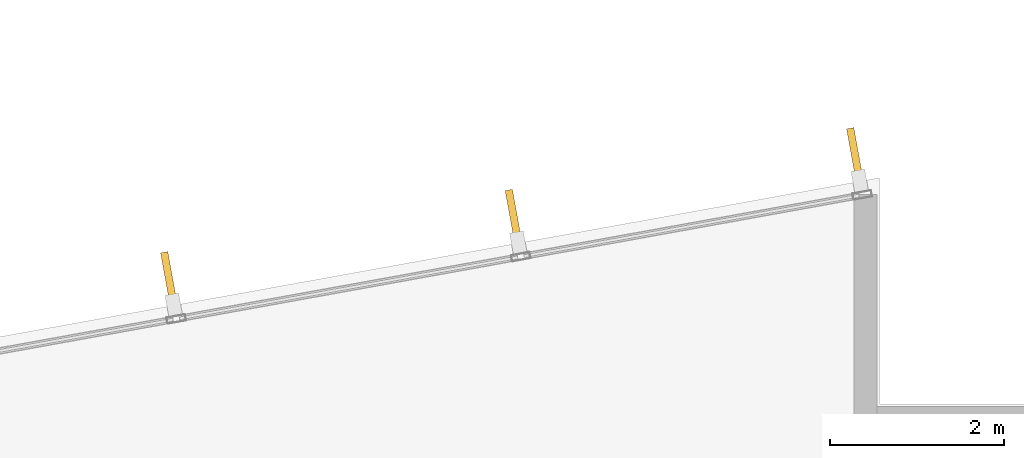
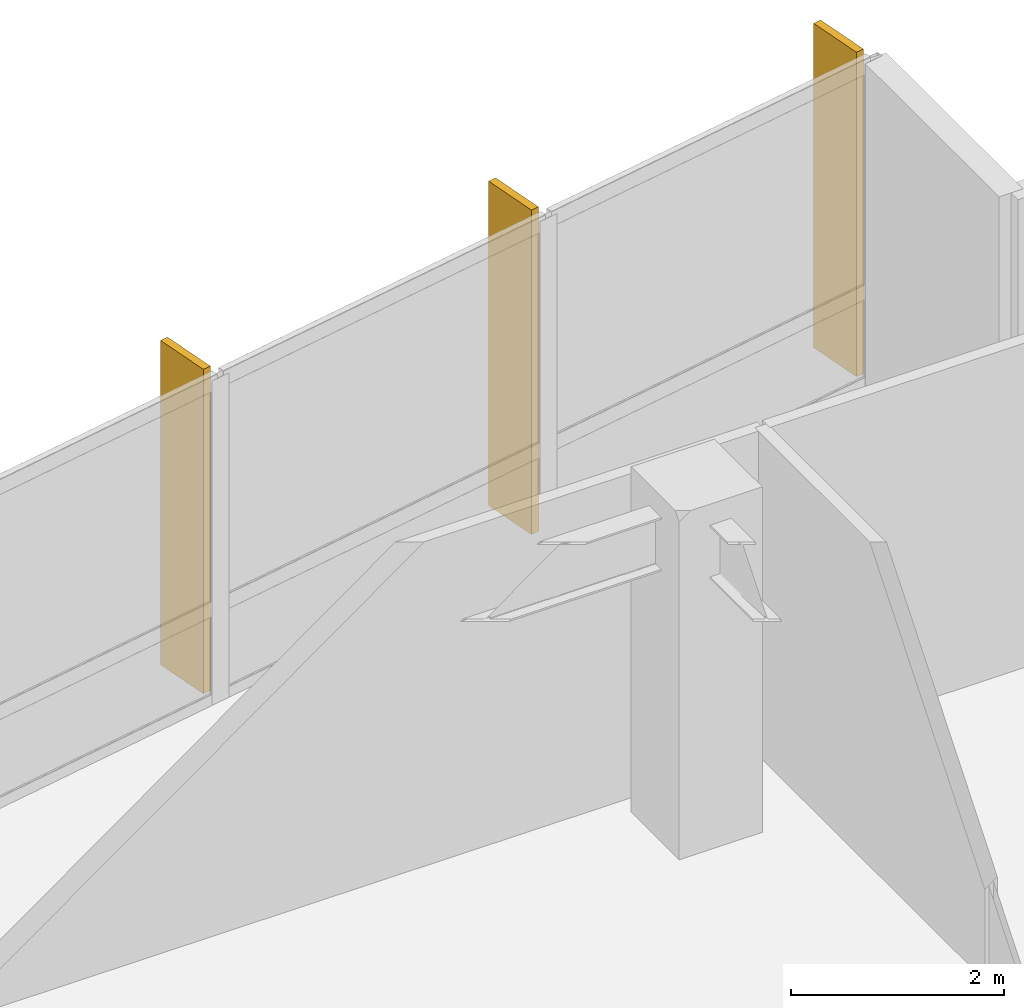
# One storey, part 20 of 20: 3 shading devices.
"""IFC4 building model written with IfcOpenShell, lengths in metres."""

from ifc_helpers import new_model, si_unit, direction, frame, origin, origin_2d, place, context, subcontext, project, spatial, rectangle, extrude, material, layer, layer_set, type_object, element, save


model = new_model("IFC4")

# Units and contexts
model_context = context("Model", 3, precision=1e-05, world=origin(), true_north=direction((0.0, 1.0)))
body_context = subcontext(model_context, "Body", "Model", "MODEL_VIEW")
ifc_project = project(units=[si_unit("LENGTHUNIT", "METRE"), si_unit("AREAUNIT", "SQUARE_METRE"), si_unit("VOLUMEUNIT", "CUBIC_METRE"), si_unit("PLANEANGLEUNIT", "RADIAN"), si_unit("MASSUNIT", "GRAM", prefix="KILO")], contexts=[model_context])

# Site, building, storey
site_placement = place(None, origin())
site = spatial("IfcSite", under=ifc_project, at=site_placement, CompositionType="ELEMENT")
building_placement = place(site_placement, origin())
building = spatial("IfcBuilding", under=site, at=building_placement, Name="Varnakote Quay Hospital", CompositionType="ELEMENT")
storey_placement = place(building_placement, frame((0.0, 0.0, 81.75)))
storey = spatial("IfcBuildingStorey", under=building, at=storey_placement, Name="L20", CompositionType="ELEMENT", Elevation=81.75)

# Shading devices
ifc_material = material(Name="Anodised aluminium 6063-T6 Bronze", Category="aluminium")
ifc_layer = layer(ifc_material, 0.0849609375)
ifc_layer_set = layer_set([ifc_layer], Name="Anodised aluminium 6063-T6 Bronze")
shading_device_type = type_object("IfcShadingDeviceType", Name="SHD-BRONZE-FIN-620", PredefinedType="USERDEFINED", material=ifc_layer_set)
for number, where, z_axis, x_axis, name in (
    (1, (55.319580078125, 34.664306640625, 0.0), (0.0, 0.0, 1.0), (0.177771795263, -0.984071739666, 0.0), "L20 Anodised Bronze Vertical Shading FIN"),
    (2, (51.393798828125, 33.954833984375, 0.0), (0.0, 0.0, 1.0), (0.177771795263, -0.984071739666, 0.0), "L20 Anodised Bronze Vertical Shading FIN"),
    (3, (47.43115234375, 33.23876953125, 0.0), (0.0, 0.0, 1.0), (0.177771795263, -0.984071739666, 0.0), "L20 Anodised Bronze Vertical Shading FIN"),
):
    element("IfcShadingDevice", number, at=place(storey_placement, frame(where, z_axis=z_axis, x_axis=x_axis)), inside=storey, type_object=shading_device_type, Name=name, ObjectType="FIN", PredefinedType="USERDEFINED", context=body_context, shape_type="SweptSolid", body=[
        extrude(rectangle(XDim=0.6201171875, YDim=0.0849609375, at=origin_2d()), origin(), (0.0, 0.0, 1.0), 3.7099609375),
    ])

save(model, "model.ifc")
